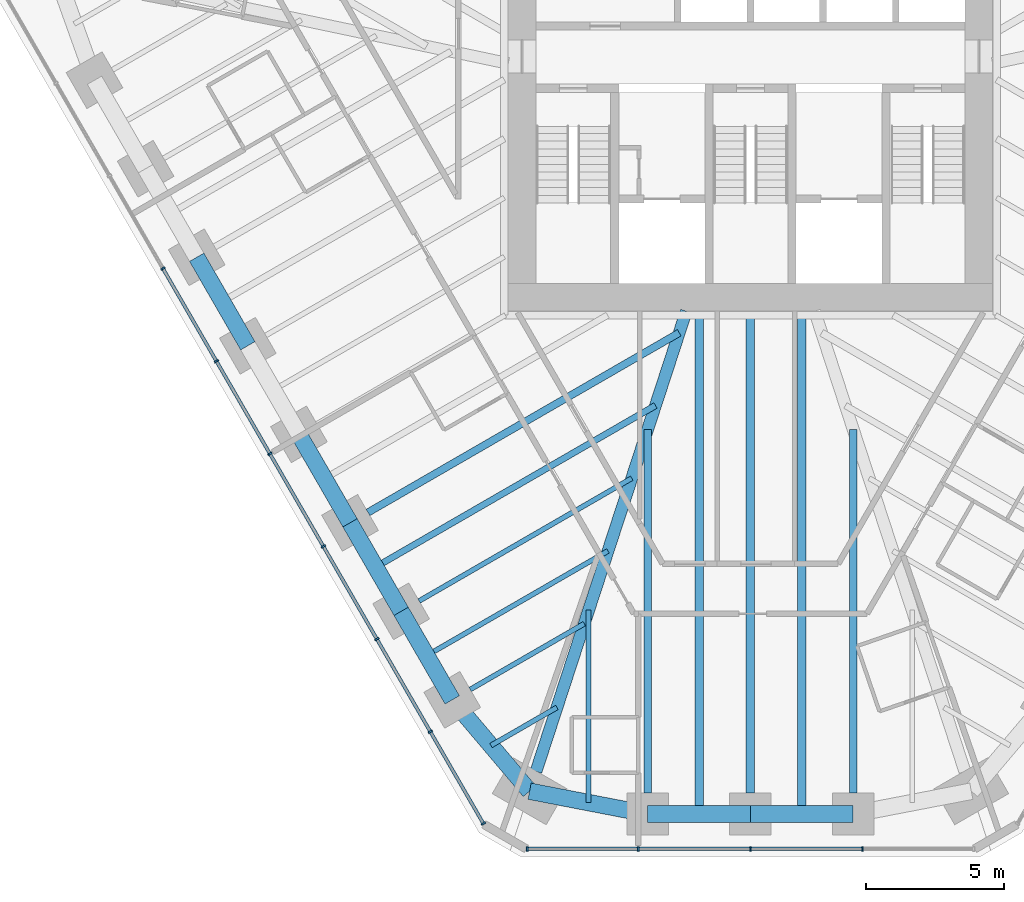
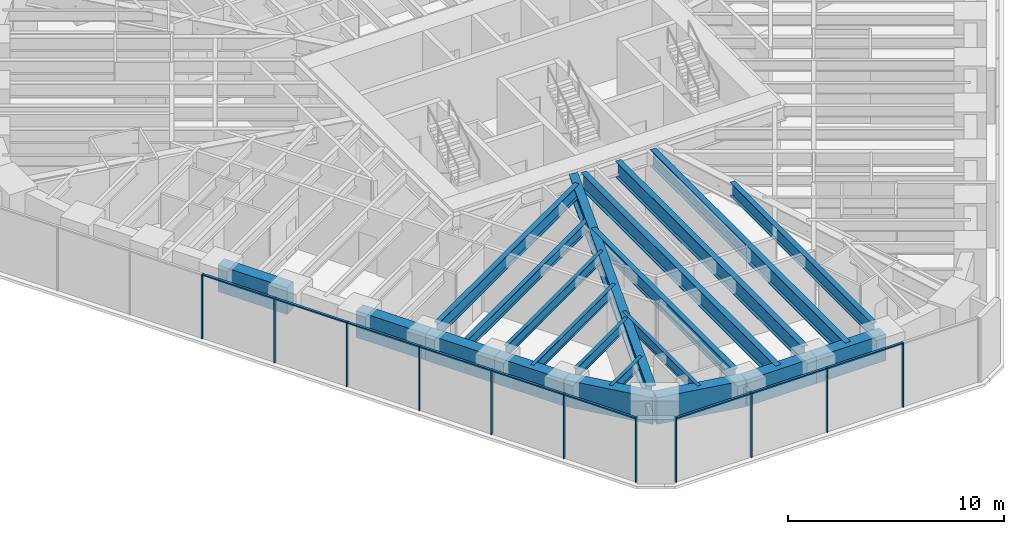
# One storey, part 2 of 16: 21 beams, 20 members, 2 elements without a shape of their own.
"""IFC4 building model written with IfcOpenShell, lengths in metres."""

from ifc_helpers import new_model, si_unit, direction, frame, origin, origin_2d, place, context, subcontext, project, spatial, rectangle, i_section, extrude, material, material_profile, profile_set, type_object, element, aggregate, save


model = new_model("IFC4")

# Units and contexts
model_context = context("Model", 3, precision=1e-05, world=origin(), true_north=direction((0.0, 1.0)))
body_context = subcontext(model_context, "Body", "Model", "MODEL_VIEW")
ifc_project = project(units=[si_unit("LENGTHUNIT", "METRE"), si_unit("AREAUNIT", "SQUARE_METRE"), si_unit("VOLUMEUNIT", "CUBIC_METRE"), si_unit("PLANEANGLEUNIT", "RADIAN"), si_unit("MASSUNIT", "GRAM", prefix="KILO")], contexts=[model_context])

# Site, building, storey
site_placement = place(None, origin())
site = spatial("IfcSite", under=ifc_project, at=site_placement, CompositionType="ELEMENT")
building_placement = place(site_placement, origin())
building = spatial("IfcBuilding", under=site, at=building_placement, Name="Sandreach Pilgrim Tower", CompositionType="ELEMENT")
storey_placement = place(building_placement, frame((0.0, 0.0, 225.0)))
storey = spatial("IfcBuildingStorey", under=building, at=storey_placement, Name="L56", CompositionType="ELEMENT", Elevation=225.0)

# Curtain wall, members
ifc_material_1 = material(Name="Aluminium framed curtain wall", Category="aluminium")
curtain_wall_type = type_object("IfcCurtainWallType", Name="Upper hotel tower curtain wall", PredefinedType="NOTDEFINED", material=ifc_material_1)
curtain_wall_1_placement = place(storey_placement, origin())
curtain_wall_1 = element("IfcCurtainWall", 1, at=curtain_wall_1_placement, inside=storey, type_object=curtain_wall_type, Name="CW-3 L56 S", PredefinedType="NOTDEFINED")
ifc_material_2 = material(Name="Aluminium extrusion", Category="aluminium")
ifc_material_profile_1 = material_profile(ifc_material_2, rectangle(XDim=0.06494140625, YDim=0.159912109375, at=origin_2d()), Name="CW-3M 65X160")
ifc_profile_set_1 = profile_set([ifc_material_profile_1], Name="Aluminium extrusion")
member_type_1 = type_object("IfcMemberType", Name="CW-3 mullion", PredefinedType="MULLION", material=ifc_profile_set_1)
member_1_placement = place(storey_placement, frame((4.048583984375, -26.525146484375, 0.0), z_axis=(0.0, 0.0, 1.0), x_axis=(-1.0, 0.0, 0.0)))
member_1 = element("IfcMember", 2, at=member_1_placement, type_object=member_type_1, Name="CW-3 mullion 2", PredefinedType="MULLION", context=body_context, shape_type="SweptSolid", body=[
    extrude(rectangle(XDim=0.06494140625, YDim=0.159912109375, at=origin_2d()), origin(), (0.0, 0.0, 1.0), 3.639892578125),
])
member_2_placement = place(storey_placement, frame((0.0, -26.525146484375, 0.0), z_axis=(0.0, 0.0, 1.0), x_axis=(-1.0, 0.0, 0.0)))
member_2 = element("IfcMember", 3, at=member_2_placement, type_object=member_type_1, Name="CW-3 mullion 3", PredefinedType="MULLION", context=body_context, shape_type="SweptSolid", body=[
    extrude(rectangle(XDim=0.06494140625, YDim=0.159912109375, at=origin_2d()), origin(), (0.0, 0.0, 1.0), 3.639892578125),
])
member_3_placement = place(storey_placement, frame((-4.048583984375, -26.525146484375, 0.0), z_axis=(0.0, 0.0, 1.0), x_axis=(-1.0, 0.0, 0.0)))
member_3 = element("IfcMember", 4, at=member_3_placement, type_object=member_type_1, Name="CW-3 mullion 4", PredefinedType="MULLION", context=body_context, shape_type="SweptSolid", body=[
    extrude(rectangle(XDim=0.06494140625, YDim=0.159912109375, at=origin_2d()), origin(), (0.0, 0.0, 1.0), 3.639892578125),
])
member_4_placement = place(storey_placement, frame((-8.06494140625, -26.525146484375, 0.0), z_axis=(0.0, 0.0, 1.0), x_axis=(-1.0, 0.0, 0.0)))
member_4 = element("IfcMember", 5, at=member_4_placement, type_object=member_type_1, Name="CW-3 mullion 5", PredefinedType="MULLION", context=body_context, shape_type="SweptSolid", body=[
    extrude(rectangle(XDim=0.06494140625, YDim=0.159912109375, at=origin_2d()), origin(), (0.0, 0.0, 1.0), 3.639892578125),
])

curtain_wall_2_placement = place(storey_placement, origin())
curtain_wall_2 = element("IfcCurtainWall", 6, at=curtain_wall_2_placement, inside=storey, type_object=curtain_wall_type, Name="CW-3 L56 SW", PredefinedType="NOTDEFINED")
member_5_placement = place(storey_placement, frame((-9.646484375, -25.612060546875, 0.0), z_axis=(0.0, 0.0, 1.0), x_axis=(-0.5, 0.866025403784, 0.0)))
member_5 = element("IfcMember", 7, at=member_5_placement, type_object=member_type_1, Name="CW-3 mullion 1", PredefinedType="MULLION", context=body_context, shape_type="SweptSolid", body=[
    extrude(rectangle(XDim=0.06494140625, YDim=0.159912109375, at=origin_2d()), origin(), (0.0, 0.0, 1.0), 3.639892578125),
])
member_6_placement = place(storey_placement, frame((-11.5625, -22.29345703125, 0.0), z_axis=(0.0, 0.0, 1.0), x_axis=(-0.5, 0.866025403784, 0.0)))
member_6 = element("IfcMember", 8, at=member_6_placement, type_object=member_type_1, Name="CW-3 mullion 2", PredefinedType="MULLION", context=body_context, shape_type="SweptSolid", body=[
    extrude(rectangle(XDim=0.06494140625, YDim=0.159912109375, at=origin_2d()), origin(), (0.0, 0.0, 1.0), 3.639892578125),
])
member_7_placement = place(storey_placement, frame((-13.49462890625, -18.94677734375, 0.0), z_axis=(0.0, 0.0, 1.0), x_axis=(-0.5, 0.866025403784, 0.0)))
member_7 = element("IfcMember", 9, at=member_7_placement, type_object=member_type_1, Name="CW-3 mullion 3", PredefinedType="MULLION", context=body_context, shape_type="SweptSolid", body=[
    extrude(rectangle(XDim=0.06494140625, YDim=0.159912109375, at=origin_2d()), origin(), (0.0, 0.0, 1.0), 3.639892578125),
])
member_8_placement = place(storey_placement, frame((-15.4267578125, -15.60009765625, 0.0), z_axis=(0.0, 0.0, 1.0), x_axis=(-0.5, 0.866025403784, 0.0)))
member_8 = element("IfcMember", 10, at=member_8_placement, type_object=member_type_1, Name="CW-3 mullion 4", PredefinedType="MULLION", context=body_context, shape_type="SweptSolid", body=[
    extrude(rectangle(XDim=0.06494140625, YDim=0.159912109375, at=origin_2d()), origin(), (0.0, 0.0, 1.0), 3.639892578125),
])
member_9_placement = place(storey_placement, frame((-17.359130859375, -12.25341796875, 0.0), z_axis=(0.0, 0.0, 1.0), x_axis=(-0.5, 0.866025403784, 0.0)))
member_9 = element("IfcMember", 11, at=member_9_placement, type_object=member_type_1, Name="CW-3 mullion 5", PredefinedType="MULLION", context=body_context, shape_type="SweptSolid", body=[
    extrude(rectangle(XDim=0.06494140625, YDim=0.159912109375, at=origin_2d()), origin(), (0.0, 0.0, 1.0), 3.639892578125),
])
member_10_placement = place(storey_placement, frame((-19.291259765625, -8.90673828125, 0.0), z_axis=(0.0, 0.0, 1.0), x_axis=(-0.5, 0.866025403784, 0.0)))
member_10 = element("IfcMember", 12, at=member_10_placement, type_object=member_type_1, Name="CW-3 mullion 6", PredefinedType="MULLION", context=body_context, shape_type="SweptSolid", body=[
    extrude(rectangle(XDim=0.06494140625, YDim=0.159912109375, at=origin_2d()), origin(), (0.0, 0.0, 1.0), 3.639892578125),
])
member_11_placement = place(storey_placement, frame((-21.223388671875, -5.56005859375, 0.0), z_axis=(0.0, 0.0, 1.0), x_axis=(-0.5, 0.866025403784, 0.0)))
member_11 = element("IfcMember", 13, at=member_11_placement, type_object=member_type_1, Name="CW-3 mullion 7", PredefinedType="MULLION", context=body_context, shape_type="SweptSolid", body=[
    extrude(rectangle(XDim=0.06494140625, YDim=0.159912109375, at=origin_2d()), origin(), (0.0, 0.0, 1.0), 3.639892578125),
])

# Member
ifc_material_3 = material(Name="Aluminium extrusion", Category="aluminium")
ifc_material_profile_2 = material_profile(ifc_material_3, rectangle(XDim=0.1201171875, YDim=0.070068359375, at=origin_2d()), Name="CW-3T 120X70")
ifc_profile_set_2 = profile_set([ifc_material_profile_2], Name="Aluminium extrusion")
member_type_2 = type_object("IfcMemberType", Name="CW-3 transom", PredefinedType="USERDEFINED", material=ifc_profile_set_2)
member_12_placement = place(storey_placement, frame((4.01611328125, -26.525146484375, 3.60498046875), z_axis=(-1.0, 0.0, 0.0), x_axis=(0.0, -1.0, 0.0)))
member_12 = element("IfcMember", 14, at=member_12_placement, type_object=member_type_2, Name="CW-3 head transom 2", ObjectType="TRANSOM", PredefinedType="USERDEFINED", context=body_context, shape_type="SweptSolid", body=[
    extrude(rectangle(XDim=0.1201171875, YDim=0.070068359375, at=origin_2d()), origin(), (0.0, 0.0, 1.0), 3.983642578125),
])

member_13_placement = place(storey_placement, frame((-0.032470703125, -26.525146484375, 3.60498046875), z_axis=(-1.0, 0.0, 0.0), x_axis=(0.0, -1.0, 0.0)))
member_13 = element("IfcMember", 15, at=member_13_placement, type_object=member_type_2, Name="CW-3 head transom 3", ObjectType="TRANSOM", PredefinedType="USERDEFINED", context=body_context, shape_type="SweptSolid", body=[
    extrude(rectangle(XDim=0.1201171875, YDim=0.070068359375, at=origin_2d()), origin(), (0.0, 0.0, 1.0), 3.983642578125),
])

member_14_placement = place(storey_placement, frame((-4.081298828125, -26.525146484375, 3.60498046875), z_axis=(-1.0, 0.0, 0.0), x_axis=(0.0, -1.0, 0.0)))
member_14 = element("IfcMember", 16, at=member_14_placement, type_object=member_type_2, Name="CW-3 head transom 4", ObjectType="TRANSOM", PredefinedType="USERDEFINED", context=body_context, shape_type="SweptSolid", body=[
    extrude(rectangle(XDim=0.1201171875, YDim=0.070068359375, at=origin_2d()), origin(), (0.0, 0.0, 1.0), 3.951171875),
])

aggregate(curtain_wall_1, [member_1, member_2, member_3, member_4, member_12, member_13, member_14])

member_15_placement = place(storey_placement, frame((-9.662841796875, -25.583740234375, 3.60498046875), z_axis=(-0.499973055223, 0.8660409598, 0.0), x_axis=(-0.8660409598, -0.499973055223, 0.0)))
member_15 = element("IfcMember", 17, at=member_15_placement, type_object=member_type_2, Name="CW-3 head transom 1", ObjectType="TRANSOM", PredefinedType="USERDEFINED", context=body_context, shape_type="SweptSolid", body=[
    extrude(rectangle(XDim=0.1201171875, YDim=0.070068359375, at=origin_2d()), origin(), (0.0, 0.0, 1.0), 3.766845703125),
])

member_16_placement = place(storey_placement, frame((-11.57861328125, -22.265380859375, 3.60498046875), z_axis=(-0.500022797313, 0.86601224135, 0.0), x_axis=(-0.86601224135, -0.500022797313, 0.0)))
member_16 = element("IfcMember", 18, at=member_16_placement, type_object=member_type_2, Name="CW-3 head transom 2", ObjectType="TRANSOM", PredefinedType="USERDEFINED", context=body_context, shape_type="SweptSolid", body=[
    extrude(rectangle(XDim=0.1201171875, YDim=0.070068359375, at=origin_2d()), origin(), (0.0, 0.0, 1.0), 3.799560546875),
])

member_17_placement = place(storey_placement, frame((-13.510986328125, -18.918701171875, 3.60498046875), z_axis=(-0.499974606132, 0.866040064445, 0.0), x_axis=(-0.866040064445, -0.499974606132, 0.0)))
member_17 = element("IfcMember", 19, at=member_17_placement, type_object=member_type_2, Name="CW-3 head transom 3", ObjectType="TRANSOM", PredefinedType="USERDEFINED", context=body_context, shape_type="SweptSolid", body=[
    extrude(rectangle(XDim=0.1201171875, YDim=0.070068359375, at=origin_2d()), origin(), (0.0, 0.0, 1.0), 3.799560546875),
])

member_18_placement = place(storey_placement, frame((-15.443115234375, -15.572021484375, 3.60498046875), z_axis=(-0.499974606132, 0.866040064445, 0.0), x_axis=(-0.866040064445, -0.499974606132, 0.0)))
member_18 = element("IfcMember", 20, at=member_18_placement, type_object=member_type_2, Name="CW-3 head transom 4", ObjectType="TRANSOM", PredefinedType="USERDEFINED", context=body_context, shape_type="SweptSolid", body=[
    extrude(rectangle(XDim=0.1201171875, YDim=0.070068359375, at=origin_2d()), origin(), (0.0, 0.0, 1.0), 3.799560546875),
])

member_19_placement = place(storey_placement, frame((-17.375244140625, -12.225341796875, 3.60498046875), z_axis=(-0.500022797313, 0.86601224135, 0.0), x_axis=(-0.86601224135, -0.500022797313, 0.0)))
member_19 = element("IfcMember", 21, at=member_19_placement, type_object=member_type_2, Name="CW-3 head transom 5", ObjectType="TRANSOM", PredefinedType="USERDEFINED", context=body_context, shape_type="SweptSolid", body=[
    extrude(rectangle(XDim=0.1201171875, YDim=0.070068359375, at=origin_2d()), origin(), (0.0, 0.0, 1.0), 3.799560546875),
])

member_20_placement = place(storey_placement, frame((-19.3076171875, -8.878662109375, 3.60498046875), z_axis=(-0.499974606132, 0.866040064445, 0.0), x_axis=(-0.866040064445, -0.499974606132, 0.0)))
member_20 = element("IfcMember", 22, at=member_20_placement, type_object=member_type_2, Name="CW-3 head transom 6", ObjectType="TRANSOM", PredefinedType="USERDEFINED", context=body_context, shape_type="SweptSolid", body=[
    extrude(rectangle(XDim=0.1201171875, YDim=0.070068359375, at=origin_2d()), origin(), (0.0, 0.0, 1.0), 3.799560546875),
])

aggregate(curtain_wall_2, [member_5, member_6, member_7, member_8, member_9, member_10, member_11, member_15, member_16, member_17, member_18, member_19, member_20])

# Beams
ifc_material_4 = material(Name="Steel ASTM A992 Grade 50", Category="steel")
ifc_material_profile_3 = material_profile(ifc_material_4, i_section(OverallWidth=0.431884765625, OverallDepth=0.988037109375, WebThickness=0.034423828125, FlangeThickness=0.06201171875, at=origin_2d()), Name="W36X441")
ifc_profile_set_3 = profile_set([ifc_material_profile_3], Name="Steel ASTM A992 Grade 50")
beam_type_1 = type_object("IfcBeamType", Name="Corner girder W36X441", PredefinedType="BEAM", material=ifc_profile_set_3)
beam_1_placement = place(storey_placement, frame((-7.745849609375, -23.72900390625, 3.14599609375), z_axis=(0.310317870968, 0.950632851819, 0.0), x_axis=(-0.950632851819, 0.310317870968, 0.0)))
element("IfcBeam", 23, at=beam_1_placement, inside=storey, type_object=beam_type_1, Name="BM L56 CG26", PredefinedType="BEAM", context=body_context, shape_type="SweptSolid", body=[
    extrude(i_section(OverallWidth=0.431884765625, OverallDepth=0.988037109375, WebThickness=0.034423828125, FlangeThickness=0.06201171875, at=origin_2d()), origin(), (0.0, 0.0, 1.0), 17.492431640625),
])
ifc_material_5 = material(Name="Steel ASTM A992 Grade 50", Category="steel")
ifc_material_profile_4 = material_profile(ifc_material_5, i_section(OverallWidth=0.1787109375, OverallDepth=0.60205078125, WebThickness=0.010986328125, FlangeThickness=0.014892578125, at=origin_2d()), Name="W24X62")
ifc_profile_set_4 = profile_set([ifc_material_profile_4], Name="Steel ASTM A992 Grade 50")
beam_type_2 = type_object("IfcBeamType", Name="Floor beam W24X62", PredefinedType="BEAM", material=ifc_profile_set_4)
beam_2_placement = place(storey_placement, frame((-10.12255859375, -20.767333984375, 3.339111328125), z_axis=(0.86603347311, 0.499986023258, 0.0), x_axis=(-0.499986023258, 0.86603347311, 0.0)))
element("IfcBeam", 24, at=beam_2_placement, inside=storey, type_object=beam_type_2, Name="BM L56 F27", PredefinedType="BEAM", context=body_context, shape_type="SweptSolid", body=[
    extrude(i_section(OverallWidth=0.1787109375, OverallDepth=0.60205078125, WebThickness=0.010986328125, FlangeThickness=0.014892578125, at=origin_2d()), origin(), (0.0, 0.0, 1.0), 4.757568359375),
])
beam_3_placement = place(storey_placement, frame((-11.96875, -17.569580078125, 3.339111328125), z_axis=(0.866020566617, 0.500008378126, 0.0), x_axis=(-0.500008378126, 0.866020566617, 0.0)))
element("IfcBeam", 25, at=beam_3_placement, inside=storey, type_object=beam_type_2, Name="BM L56 F28", PredefinedType="BEAM", context=body_context, shape_type="SweptSolid", body=[
    extrude(i_section(OverallWidth=0.1787109375, OverallDepth=0.60205078125, WebThickness=0.010986328125, FlangeThickness=0.014892578125, at=origin_2d()), origin(), (0.0, 0.0, 1.0), 8.869384765625),
])
beam_4_placement = place(storey_placement, frame((-5.844482421875, -24.853515625, 3.339111328125), z_axis=(0.0, 1.0, 0.0), x_axis=(-1.0, 0.0, 0.0)))
element("IfcBeam", 26, at=beam_4_placement, inside=storey, type_object=beam_type_2, Name="BM L56 FM25", PredefinedType="BEAM", context=body_context, shape_type="SweptSolid", body=[
    extrude(i_section(OverallWidth=0.1787109375, OverallDepth=0.60205078125, WebThickness=0.010986328125, FlangeThickness=0.014892578125, at=origin_2d()), origin(), (0.0, 0.0, 1.0), 6.94921875),
])
beam_5_placement = place(storey_placement, frame((-9.375244140625, -22.7919921875, 3.339111328125), z_axis=(0.866046803606, 0.49996293259, 0.0), x_axis=(-0.49996293259, 0.866046803606, 0.0)))
element("IfcBeam", 27, at=beam_5_placement, inside=storey, type_object=beam_type_2, Name="BM L56 FM26", PredefinedType="BEAM", context=body_context, shape_type="SweptSolid", body=[
    extrude(i_section(OverallWidth=0.1787109375, OverallDepth=0.60205078125, WebThickness=0.010986328125, FlangeThickness=0.014892578125, at=origin_2d()), origin(), (0.0, 0.0, 1.0), 2.753662109375),
])
beam_6_placement = place(storey_placement, frame((-11.6953125, -19.54345703125, 3.339111328125), z_axis=(0.866029704776, 0.49999255039, 0.0), x_axis=(-0.49999255039, 0.866029704776, 0.0)))
element("IfcBeam", 28, at=beam_6_placement, inside=storey, type_object=beam_type_2, Name="BM L56 FM27", PredefinedType="BEAM", context=body_context, shape_type="SweptSolid", body=[
    extrude(i_section(OverallWidth=0.1787109375, OverallDepth=0.60205078125, WebThickness=0.010986328125, FlangeThickness=0.014892578125, at=origin_2d()), origin(), (0.0, 0.0, 1.0), 7.5634765625),
])
ifc_material_6 = material(Name="Steel ASTM A992 Grade 50", Category="steel")
ifc_material_profile_5 = material_profile(ifc_material_6, i_section(OverallWidth=0.23046875, OverallDepth=0.6171875, WebThickness=0.01318359375, FlangeThickness=0.022216796875, at=origin_2d()), Name="W24X94")
ifc_profile_set_5 = profile_set([ifc_material_profile_5], Name="Steel ASTM A992 Grade 50")
beam_type_3 = type_object("IfcBeamType", Name="Floor beam W24X94", PredefinedType="BEAM", material=ifc_profile_set_5)
beam_7_placement = place(storey_placement, frame((-13.54150390625, -16.345703125, 3.331298828125), z_axis=(0.866026454974, 0.499998179282, 0.0), x_axis=(-0.499998179282, 0.866026454974, 0.0)))
element("IfcBeam", 29, at=beam_7_placement, inside=storey, type_object=beam_type_3, Name="BM L56 FM28", PredefinedType="BEAM", context=body_context, shape_type="SweptSolid", body=[
    extrude(i_section(OverallWidth=0.23046875, OverallDepth=0.6171875, WebThickness=0.01318359375, FlangeThickness=0.022216796875, at=origin_2d()), origin(), (0.0, 0.0, 1.0), 11.67578125),
])
ifc_material_7 = material(Name="Steel ASTM A992 Grade 50", Category="steel")
ifc_material_profile_6 = material_profile(ifc_material_7, i_section(OverallWidth=0.2666015625, OverallDepth=0.761962890625, WebThickness=0.014404296875, FlangeThickness=0.021484375, at=origin_2d()), Name="W30X116")
ifc_profile_set_6 = profile_set([ifc_material_profile_6], Name="Steel ASTM A992 Grade 50")
beam_type_4 = type_object("IfcBeamType", Name="Floor beam W30X116", PredefinedType="BEAM", material=ifc_profile_set_6)
for number, where, z_axis, x_axis, name in (
    (30, (3.71044921875, -24.51513671875, 3.259033203125), (0.0, 1.0, 0.0), (-1.0, 0.0, 0.0), "BM L56 F23"),
    (31, (-3.71044921875, -24.51513671875, 3.259033203125), (0.0, 1.0, 0.0), (-1.0, 0.0, 0.0), "BM L56 F25"),
):
    element("IfcBeam", number, at=place(storey_placement, frame(where, z_axis=z_axis, x_axis=x_axis)), inside=storey, type_object=beam_type_4, Name=name, PredefinedType="BEAM", context=body_context, shape_type="SweptSolid", body=[
        extrude(i_section(OverallWidth=0.2666015625, OverallDepth=0.761962890625, WebThickness=0.014404296875, FlangeThickness=0.021484375, at=origin_2d()), origin(), (0.0, 0.0, 1.0), 13.1484375),
    ])
beam_8_placement = place(storey_placement, frame((-13.815185546875, -14.371826171875, 3.259033203125), z_axis=(0.866025240073, 0.500000283557, 0.0), x_axis=(-0.500000283557, 0.866025240073, 0.0)))
element("IfcBeam", 32, at=beam_8_placement, inside=storey, type_object=beam_type_4, Name="BM L56 F29", PredefinedType="BEAM", context=body_context, shape_type="SweptSolid", body=[
    extrude(i_section(OverallWidth=0.2666015625, OverallDepth=0.761962890625, WebThickness=0.014404296875, FlangeThickness=0.021484375, at=origin_2d()), origin(), (0.0, 0.0, 1.0), 12.98193359375),
])
ifc_material_8 = material(Name="Steel ASTM A992 Grade 50", Category="steel")
ifc_material_profile_7 = material_profile(ifc_material_8, i_section(OverallWidth=0.3046875, OverallDepth=0.914306640625, WebThickness=0.0166015625, FlangeThickness=0.02587890625, at=origin_2d()), Name="W36X160")
ifc_profile_set_7 = profile_set([ifc_material_profile_7], Name="Steel ASTM A992 Grade 50")
beam_type_5 = type_object("IfcBeamType", Name="Floor beam W36X160", PredefinedType="BEAM", material=ifc_profile_set_7)
beam_9_placement = place(storey_placement, frame((0.0, -24.51513671875, 3.182861328125), z_axis=(0.0, 1.0, 0.0), x_axis=(-1.0, 0.0, 0.0)))
element("IfcBeam", 33, at=beam_9_placement, inside=storey, type_object=beam_type_5, Name="BM L56 F24", PredefinedType="BEAM", context=body_context, shape_type="SweptSolid", body=[
    extrude(i_section(OverallWidth=0.3046875, OverallDepth=0.914306640625, WebThickness=0.0166015625, FlangeThickness=0.02587890625, at=origin_2d()), origin(), (0.0, 0.0, 1.0), 17.271728515625),
])
for number, where, z_axis, x_axis, name in (
    (34, (1.855224609375, -25.26513671875, 3.182861328125), (0.0, 1.0, 0.0), (-1.0, 0.0, 0.0), "BM L56 FM23"),
    (35, (-1.855224609375, -25.26513671875, 3.182861328125), (0.0, 1.0, 0.0), (-1.0, 0.0, 0.0), "BM L56 FM24"),
):
    element("IfcBeam", number, at=place(storey_placement, frame(where, z_axis=z_axis, x_axis=x_axis)), inside=storey, type_object=beam_type_5, Name=name, PredefinedType="BEAM", context=body_context, shape_type="SweptSolid", body=[
        extrude(i_section(OverallWidth=0.3046875, OverallDepth=0.914306640625, WebThickness=0.0166015625, FlangeThickness=0.02587890625, at=origin_2d()), origin(), (0.0, 0.0, 1.0), 18.021728515625),
    ])
ifc_material_9 = material(Name="Concrete 10000 psi", Category="concrete")
ifc_material_profile_8 = material_profile(ifc_material_9, rectangle(XDim=0.60009765625, YDim=1.5, at=origin_2d()), Name="RC600X1500")
ifc_profile_set_8 = profile_set([ifc_material_profile_8], Name="Concrete 10000 psi")
beam_type_6 = type_object("IfcBeamType", Name="Spandrel beam RC600X1500", PredefinedType="SPANDREL", material=ifc_profile_set_8)
for number, where, z_axis, x_axis, name in (
    (36, (3.71044921875, -25.26513671875, 2.889892578125), (-1.0, 0.0, 0.0), (0.0, -1.0, 0.0), "BM L56 SP23"),
    (37, (0.0, -25.26513671875, 2.889892578125), (-1.0, 0.0, 0.0), (0.0, -1.0, 0.0), "BM L56 SP24"),
):
    element("IfcBeam", number, at=place(storey_placement, frame(where, z_axis=z_axis, x_axis=x_axis)), inside=storey, type_object=beam_type_6, Name=name, PredefinedType="SPANDREL", context=body_context, shape_type="SweptSolid", body=[
        extrude(rectangle(XDim=0.60009765625, YDim=1.5, at=origin_2d()), origin(), (0.0, 0.0, 1.0), 3.71044921875),
    ])
beam_10_placement = place(storey_placement, frame((-3.71044921875, -25.26513671875, 2.889892578125), z_axis=(-0.981901333807, 0.18939316426, 0.0), x_axis=(-0.18939316426, -0.981901333807, 0.0)))
element("IfcBeam", 38, at=beam_10_placement, inside=storey, type_object=beam_type_6, Name="BM L56 SP25", PredefinedType="SPANDREL", context=body_context, shape_type="SweptSolid", body=[
    extrude(rectangle(XDim=0.60009765625, YDim=1.5, at=origin_2d()), origin(), (0.0, 0.0, 1.0), 4.3466796875),
])
beam_11_placement = place(storey_placement, frame((-7.978515625, -24.44189453125, 2.889892578125), z_axis=(-0.646180160755, 0.76318490541, 0.0), x_axis=(-0.76318490541, -0.646180160755, 0.0)))
element("IfcBeam", 39, at=beam_11_placement, inside=storey, type_object=beam_type_6, Name="BM L56 SP26", PredefinedType="SPANDREL", context=body_context, shape_type="SweptSolid", body=[
    extrude(rectangle(XDim=0.60009765625, YDim=1.5, at=origin_2d()), origin(), (0.0, 0.0, 1.0), 4.323486328125),
])
for number, where, z_axis, x_axis, name in (
    (40, (-10.772216796875, -21.142333984375, 2.889892578125), (-0.499993363642, 0.866029235253, 0.0), (-0.866029235253, -0.499993363642, 0.0), "BM L56 SP27"),
    (41, (-12.618408203125, -17.944580078125, 2.889892578125), (-0.499993363642, 0.866029235253, 0.0), (-0.866029235253, -0.499993363642, 0.0), "BM L56 SP28"),
):
    element("IfcBeam", number, at=place(storey_placement, frame(where, z_axis=z_axis, x_axis=x_axis)), inside=storey, type_object=beam_type_6, Name=name, PredefinedType="SPANDREL", context=body_context, shape_type="SweptSolid", body=[
        extrude(rectangle(XDim=0.60009765625, YDim=1.5, at=origin_2d()), origin(), (0.0, 0.0, 1.0), 3.6923828125),
    ])
beam_12_placement = place(storey_placement, frame((-14.464599609375, -14.746826171875, 2.889892578125), z_axis=(-0.49996473481, 0.866045763194, 0.0), x_axis=(-0.866045763194, -0.49996473481, 0.0)))
element("IfcBeam", 42, at=beam_12_placement, inside=storey, type_object=beam_type_6, Name="BM L56 SP29", PredefinedType="SPANDREL", context=body_context, shape_type="SweptSolid", body=[
    extrude(rectangle(XDim=0.60009765625, YDim=1.5, at=origin_2d()), origin(), (0.0, 0.0, 1.0), 3.692626953125),
])
beam_13_placement = place(storey_placement, frame((-18.1572265625, -8.35107421875, 2.889892578125), z_axis=(-0.499993363642, 0.866029235253, 0.0), x_axis=(-0.866029235253, -0.499993363642, 0.0)))
element("IfcBeam", 43, at=beam_13_placement, inside=storey, type_object=beam_type_6, Name="BM L56 SP31", PredefinedType="SPANDREL", context=body_context, shape_type="SweptSolid", body=[
    extrude(rectangle(XDim=0.60009765625, YDim=1.5, at=origin_2d()), origin(), (0.0, 0.0, 1.0), 3.6923828125),
])

save(model, "model.ifc")
